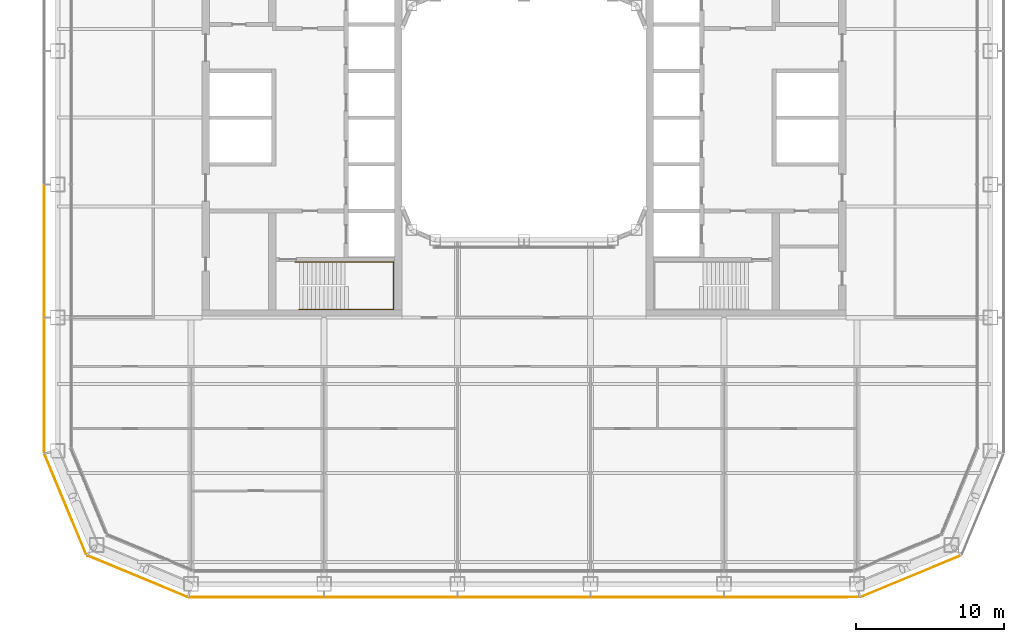
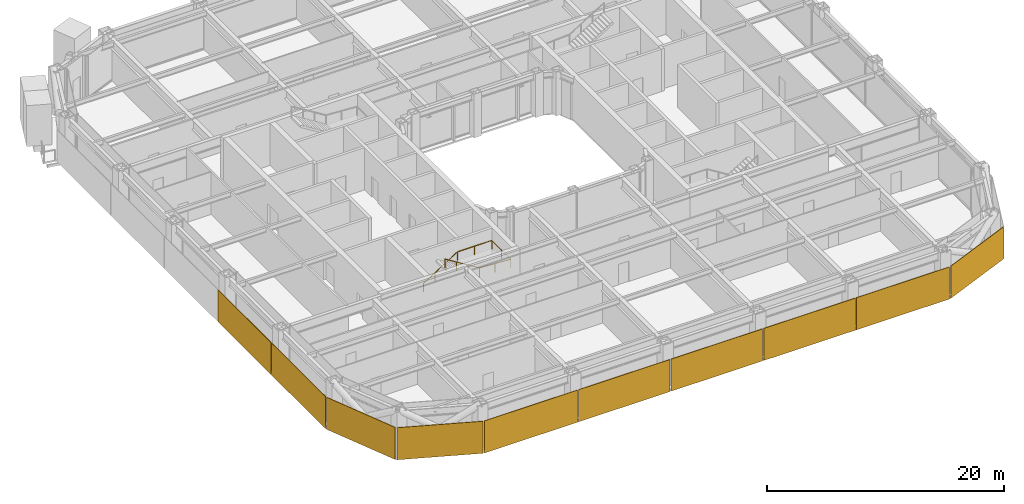
# One storey, part 23 of 28: 10 coverings, 1 railing.
"""IFC4 building model written with IfcOpenShell, lengths in metres."""

from ifc_helpers import new_model, si_unit, direction, frame, origin, origin_2d, place, context, subcontext, project, spatial, rectangle, circle, extrude, material, layer, layer_set, type_object, element, save


model = new_model("IFC4")

# Units and contexts
model_context = context("Model", 3, precision=1e-05, world=origin(), true_north=direction((0.0, 1.0)))
body_context = subcontext(model_context, "Body", "Model", "MODEL_VIEW")
ifc_project = project(units=[si_unit("LENGTHUNIT", "METRE"), si_unit("AREAUNIT", "SQUARE_METRE"), si_unit("VOLUMEUNIT", "CUBIC_METRE"), si_unit("PLANEANGLEUNIT", "RADIAN"), si_unit("MASSUNIT", "GRAM", prefix="KILO")], contexts=[model_context])

# Site, building, storey
site_placement = place(None, origin())
site = spatial("IfcSite", under=ifc_project, at=site_placement, CompositionType="ELEMENT")
building_placement = place(site_placement, origin())
building = spatial("IfcBuilding", under=site, at=building_placement, Name="Siwar Civic Tower", CompositionType="ELEMENT")
storey_placement = place(building_placement, frame((0.0, 0.0, 85.199951171875)))
storey = spatial("IfcBuildingStorey", under=building, at=storey_placement, Name="L18", CompositionType="ELEMENT", Elevation=85.199951171875)

# Railing
ifc_material_1 = material(Name="Stainless steel", Category="steel")
railing_type = type_object("IfcRailingType", Name="CORE-STAIR-HANDRAIL", PredefinedType="HANDRAIL", material=ifc_material_1)
railing_placement = place(storey_placement, frame((-15.449951171875, -9.758056640625, 0.173095703125)))
element("IfcRailing", 1, at=railing_placement, inside=storey, type_object=railing_type, Name="Stair handrail ST2", PredefinedType="HANDRAIL", context=body_context, shape_type="SweptSolid", body=[
    extrude(circle(Radius=0.02001953125, at=origin_2d()), frame((0.0, 0.0, 0.8798828125), z_axis=(0.847063342986, 0.0, 0.531491950051), x_axis=(0.0, 1.0, 0.0)), (0.0, 0.0, 1.0), 3.90771484375),
    extrude(circle(Radius=0.02001953125, at=origin_2d()), frame((3.31005859375, 0.0, 2.956787109375), z_axis=(1.0, 0.0, 0.0), x_axis=(0.0, 1.0, 0.0)), (0.0, 0.0, 1.0), 3.331787109375),
    extrude(circle(Radius=0.02001953125, at=origin_2d()), frame((6.641845703125, 0.0, 2.956787109375), z_axis=(0.0, -1.0, 0.0), x_axis=(1.0, 0.0, 0.0)), (0.0, 0.0, 1.0), 3.183837890625),
    extrude(circle(Radius=0.02001953125, at=origin_2d()), frame((6.641845703125, -3.183837890625, 2.956787109375), z_axis=(-0.99837434197, 0.0, 0.056997134106), x_axis=(0.0, -1.0, 0.0)), (0.0, 0.0, 1.0), 3.036865234375),
    extrude(circle(Radius=0.02001953125, at=origin_2d()), frame((3.60986328125, -3.183837890625, 3.1298828125), z_axis=(-0.850606129759, 0.0, 0.525803396734), x_axis=(0.0, -1.0, 0.0)), (0.0, 0.0, 1.0), 3.949951171875),
    extrude(circle(Radius=0.02001953125, at=origin_2d()), origin(), (0.0, 0.0, 1.0), 0.85986328125),
    extrude(circle(Radius=0.02001953125, at=origin_2d()), frame((1.103271484375, 0.0, 0.6923828125)), (0.0, 0.0, 1.0), 0.85986328125),
    extrude(circle(Radius=0.02001953125, at=origin_2d()), frame((2.206787109375, 0.0, 1.384521484375)), (0.0, 0.0, 1.0), 0.85986328125),
    extrude(circle(Radius=0.02001953125, at=origin_2d()), frame((3.31005859375, 0.0, 2.076904296875)), (0.0, 0.0, 1.0), 0.85986328125),
    extrude(circle(Radius=0.02001953125, at=origin_2d()), frame((4.97607421875, 0.0, 2.076904296875)), (0.0, 0.0, 1.0), 0.85986328125),
    extrude(circle(Radius=0.02001953125, at=origin_2d()), frame((6.641845703125, 0.0, 2.076904296875)), (0.0, 0.0, 1.0), 0.85986328125),
    extrude(circle(Radius=0.02001953125, at=origin_2d()), frame((6.641845703125, -1.591796875, 2.076904296875)), (0.0, 0.0, 1.0), 0.85986328125),
    extrude(circle(Radius=0.02001953125, at=origin_2d()), frame((6.641845703125, -3.183837890625, 2.076904296875)), (0.0, 0.0, 1.0), 0.85986328125),
    extrude(circle(Radius=0.02001953125, at=origin_2d()), frame((5.1259765625, -3.183837890625, 2.16357421875)), (0.0, 0.0, 1.0), 0.85986328125),
    extrude(circle(Radius=0.02001953125, at=origin_2d()), frame((3.60986328125, -3.183837890625, 2.25)), (0.0, 0.0, 1.0), 0.85986328125),
    extrude(circle(Radius=0.02001953125, at=origin_2d()), frame((2.489990234375, -3.183837890625, 2.9423828125)), (0.0, 0.0, 1.0), 0.85986328125),
    extrude(circle(Radius=0.02001953125, at=origin_2d()), frame((1.369873046875, -3.183837890625, 3.634521484375)), (0.0, 0.0, 1.0), 0.85986328125),
    extrude(circle(Radius=0.02001953125, at=origin_2d()), frame((0.25, -3.183837890625, 4.326904296875)), (0.0, 0.0, 1.0), 0.85986328125),
])

# Coverings
ifc_material_2 = material(Name="Perforated aluminium cassette, pale metal", Category="aluminium")
ifc_layer_1 = layer(ifc_material_2, 0.050048828125)
ifc_layer_set_1 = layer_set([ifc_layer_1], Name="Perforated aluminium cassette, pale metal")
covering_type_1 = type_object("IfcCoveringType", Name="ENV-OUTER SKIN OS-3", PredefinedType="CLADDING", material=ifc_layer_set_1)
covering_1_placement = place(storey_placement, frame((26.115966796875, -30.976318359375, -0.14990234375), z_axis=(0.0, 0.0, 1.0), x_axis=(0.923879532511, 0.382683432365, 0.0)))
element("IfcCovering", 2, at=covering_1_placement, inside=storey, type_object=covering_type_1, Name="OUTER SKIN OS-3 SE1 1", PredefinedType="CLADDING", context=body_context, shape_type="SweptSolid", body=[
    extrude(rectangle(XDim=7.300048828125, YDim=0.050048828125, at=origin_2d()), origin(), (0.0, 0.0, 1.0), 3.300048828125),
])
covering_2_placement = place(storey_placement, frame((-32.39990234375, -9.0, -0.14990234375), z_axis=(0.0, 0.0, 1.0), x_axis=(0.0, -1.0, 0.0)))
element("IfcCovering", 3, at=covering_2_placement, inside=storey, type_object=covering_type_1, Name="OUTER SKIN OS-3 W 4", PredefinedType="CLADDING", context=body_context, shape_type="SweptSolid", body=[
    extrude(rectangle(XDim=8.89990234375, YDim=0.050048828125, at=origin_2d()), origin(), (0.0, 0.0, 1.0), 3.300048828125),
])
covering_3_placement = place(storey_placement, frame((-32.39990234375, -18.07958984375, -0.14990234375), z_axis=(0.0, 0.0, 1.0), x_axis=(0.0, -1.0, 0.0)))
element("IfcCovering", 4, at=covering_3_placement, inside=storey, type_object=covering_type_1, Name="OUTER SKIN OS-3 W 5", PredefinedType="CLADDING", context=body_context, shape_type="SweptSolid", body=[
    extrude(rectangle(XDim=9.05908203125, YDim=0.050048828125, at=origin_2d()), origin(), (0.0, 0.0, 1.0), 3.300048828125),
])
ifc_material_3 = material(Name="Perforated aluminium cassette, pale metal", Category="aluminium")
ifc_layer_2 = layer(ifc_material_3, 0.054931640625)
ifc_layer_set_2 = layer_set([ifc_layer_2], Name="Perforated aluminium cassette, pale metal")
covering_type_2 = type_object("IfcCoveringType", Name="ENV-OUTER SKIN OS-4", PredefinedType="CLADDING", material=ifc_layer_set_2)
covering_4_placement = place(storey_placement, frame((-18.07958984375, -32.39990234375, -0.14990234375), z_axis=(0.0, 0.0, 1.0), x_axis=(1.0, 0.0, 0.0)))
element("IfcCovering", 5, at=covering_4_placement, inside=storey, type_object=covering_type_2, Name="OUTER SKIN OS-4 S 1", PredefinedType="CLADDING", context=body_context, shape_type="SweptSolid", body=[
    extrude(rectangle(XDim=9.05908203125, YDim=0.054931640625, at=origin_2d()), origin(), (0.0, 0.0, 1.0), 3.300048828125),
])
for number, where, z_axis, x_axis, name in (
    (6, (-9.0, -32.39990234375, -0.14990234375), (0.0, 0.0, 1.0), (1.0, 0.0, 0.0), "OUTER SKIN OS-4 S 2"),
    (7, (0.0, -32.39990234375, -0.14990234375), (0.0, 0.0, 1.0), (1.0, 0.0, 0.0), "OUTER SKIN OS-4 S 3"),
    (8, (9.0, -32.39990234375, -0.14990234375), (0.0, 0.0, 1.0), (1.0, 0.0, 0.0), "OUTER SKIN OS-4 S 4"),
):
    element("IfcCovering", number, at=place(storey_placement, frame(where, z_axis=z_axis, x_axis=x_axis)), inside=storey, type_object=covering_type_2, Name=name, PredefinedType="CLADDING", context=body_context, shape_type="SweptSolid", body=[
        extrude(rectangle(XDim=8.89990234375, YDim=0.054931640625, at=origin_2d()), origin(), (0.0, 0.0, 1.0), 3.300048828125),
    ])
covering_5_placement = place(storey_placement, frame((18.07958984375, -32.39990234375, -0.14990234375), z_axis=(0.0, 0.0, 1.0), x_axis=(1.0, 0.0, 0.0)))
element("IfcCovering", 9, at=covering_5_placement, inside=storey, type_object=covering_type_2, Name="OUTER SKIN OS-4 S 5", PredefinedType="CLADDING", context=body_context, shape_type="SweptSolid", body=[
    extrude(rectangle(XDim=9.05908203125, YDim=0.054931640625, at=origin_2d()), origin(), (0.0, 0.0, 1.0), 3.300048828125),
])
for number, where, z_axis, x_axis, name in (
    (10, (-30.976318359375, -26.115966796875, -0.14990234375), (0.0, 0.0, 1.0), (0.382683432365, -0.923879532511, 0.0), "OUTER SKIN OS-4 SW1 1"),
    (11, (-26.115966796875, -30.976318359375, -0.14990234375), (0.0, 0.0, 1.0), (0.923879532511, -0.382683432365, 0.0), "OUTER SKIN OS-4 SW2 1"),
):
    element("IfcCovering", number, at=place(storey_placement, frame(where, z_axis=z_axis, x_axis=x_axis)), inside=storey, type_object=covering_type_2, Name=name, PredefinedType="CLADDING", context=body_context, shape_type="SweptSolid", body=[
        extrude(rectangle(XDim=7.300048828125, YDim=0.054931640625, at=origin_2d()), origin(), (0.0, 0.0, 1.0), 3.300048828125),
    ])

save(model, "model.ifc")
